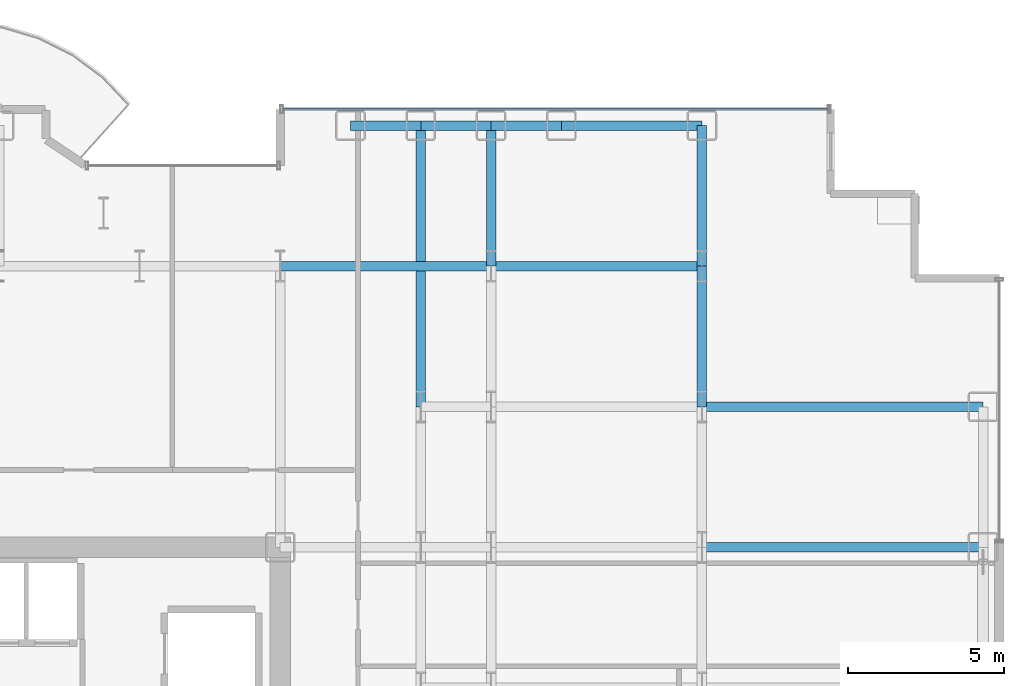
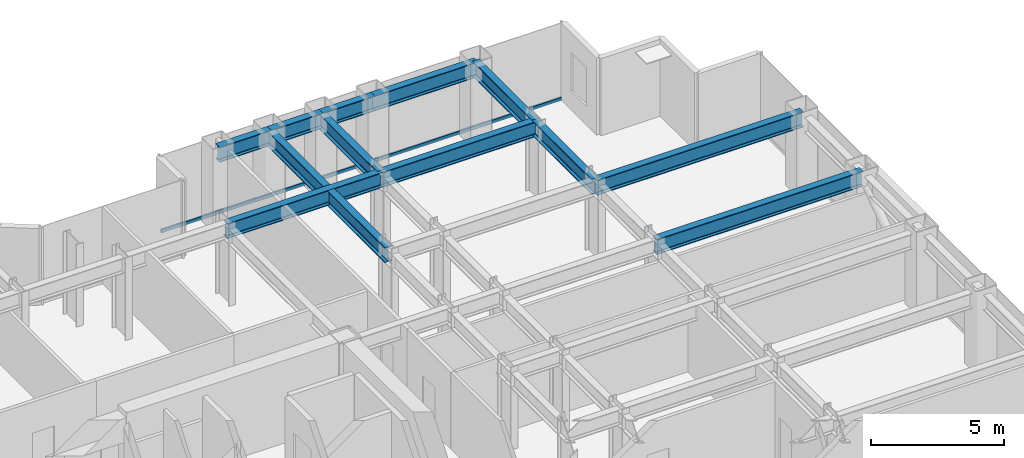
# One storey, part 16 of 29: 12 beams, 1 member, 1 element without a shape of its own.
"""IFC4 building model written with IfcOpenShell, lengths in metres."""

from ifc_helpers import new_model, si_unit, direction, frame, origin, origin_2d, place, context, subcontext, project, spatial, hollow_rectangle, i_section, extrude, source, transform, mapped, material, layer, layer_set, material_profile, profile_set, type_object, element, aggregate, save


model = new_model("IFC4")

# Units and contexts
model_context = context("Model", 3, precision=1e-05, world=origin(), true_north=direction((0.0, 1.0)))
body_context = subcontext(model_context, "Body", "Model", "MODEL_VIEW")
ifc_project = project(units=[si_unit("LENGTHUNIT", "METRE"), si_unit("AREAUNIT", "SQUARE_METRE"), si_unit("VOLUMEUNIT", "CUBIC_METRE"), si_unit("PLANEANGLEUNIT", "RADIAN"), si_unit("MASSUNIT", "GRAM", prefix="KILO")], contexts=[model_context])

# Site, building, storey
site_placement = place(None, origin())
site = spatial("IfcSite", under=ifc_project, at=site_placement, CompositionType="ELEMENT")
building_placement = place(site_placement, origin())
building = spatial("IfcBuilding", under=site, at=building_placement, Name="Nefas-Gora Pilgrimage Tower", CompositionType="ELEMENT")
storey_placement = place(building_placement, frame((0.0, 0.0, 55.800048828125)))
storey = spatial("IfcBuildingStorey", under=building, at=storey_placement, Name="L12", CompositionType="ELEMENT", Elevation=55.800048828125)

# Beams
ifc_material_1 = material(Name="Steel S355", Category="steel")
ifc_material_profile_1 = material_profile(ifc_material_1, i_section(OverallWidth=0.300048828125, OverallDepth=0.699951171875, WebThickness=0.01708984375, FlangeThickness=0.031982421875, FilletRadius=0.027099609375, at=origin_2d()), Name="HEB 700")
ifc_profile_set_1 = profile_set([ifc_material_profile_1], Name="Steel S355")
beam_type_1 = type_object("IfcBeamType", Name="BM-SPN-HEB600", PredefinedType="SPANDREL", material=ifc_profile_set_1)
shared_shape_1 = source(origin(), body_context, "Body", "SweptSolid", [
    extrude(i_section(OverallWidth=0.300048828125, OverallDepth=0.699951171875, WebThickness=0.01708984375, FlangeThickness=0.031982421875, FilletRadius=0.027099609375, at=origin_2d()), origin(), (0.0, 0.0, 1.0), 4.5),
])
beam_placement = place(storey_placement, frame((20.25, 22.5, 3.199951171875), z_axis=(1.0, 0.0, 0.0), x_axis=(0.0, 1.0, 0.0)))
element("IfcBeam", 1, at=beam_placement, inside=storey, type_object=beam_type_1, Name="L12 SP-01 beam", PredefinedType="SPANDREL", context=body_context, shape_type="MappedRepresentation", body=[
    mapped(shared_shape_1, transform((0.0, 0.0, 0.0), x_axis=(1.0, 0.0, 0.0), y_axis=(0.0, 1.0, 0.0), z_axis=(0.0, 0.0, 1.0), scale=1.0)),
])
ifc_material_profile_2 = material_profile(ifc_material_1, i_section(OverallWidth=0.300048828125, OverallDepth=0.699951171875, WebThickness=0.01708984375, FlangeThickness=0.031982421875, FilletRadius=0.027099609375, at=origin_2d()), Name="HEB 700")
ifc_profile_set_2 = profile_set([ifc_material_profile_2], Name="Steel S355")
beam_type_2 = type_object("IfcBeamType", Name="BM-GIR-HEB700", PredefinedType="BEAM", material=ifc_profile_set_2)
shared_shape_2 = source(origin(), body_context, "Body", "SweptSolid", [
    extrude(i_section(OverallWidth=0.300048828125, OverallDepth=0.699951171875, WebThickness=0.01708984375, FlangeThickness=0.031982421875, FilletRadius=0.027099609375, at=origin_2d()), origin(), (0.0, 0.0, 1.0), 9.0),
])
for number, where, z_axis, x_axis, name in (
    (2, (15.75, 13.5, 3.199951171875), (0.0, 1.0, 0.0), (-1.0, 0.0, 0.0), "L12 G-02 beam"),
    (3, (24.75, 9.0, 3.199951171875), (1.0, 0.0, 0.0), (0.0, 1.0, 0.0), "L12 G-02 beam"),
    (4, (24.75, 13.5, 3.199951171875), (1.0, 0.0, 0.0), (0.0, 1.0, 0.0), "L12 G-02 beam"),
):
    element("IfcBeam", number, at=place(storey_placement, frame(where, z_axis=z_axis, x_axis=x_axis)), inside=storey, type_object=beam_type_2, Name=name, PredefinedType="BEAM", context=body_context, shape_type="MappedRepresentation", body=[
        mapped(shared_shape_2, transform((0.0, 0.0, 0.0), x_axis=(1.0, 0.0, 0.0), y_axis=(0.0, 1.0, 0.0), z_axis=(0.0, 0.0, 1.0), scale=1.0)),
    ])
shared_shape_3 = source(origin(), body_context, "Body", "SweptSolid", [
    extrude(i_section(OverallWidth=0.300048828125, OverallDepth=0.699951171875, WebThickness=0.01708984375, FlangeThickness=0.031982421875, FilletRadius=0.027099609375, at=origin_2d()), origin(), (0.0, 0.0, 1.0), 4.5),
])
for number, where, z_axis, x_axis, name in (
    (5, (18.0, 18.0, 3.199951171875), (0.0, 1.0, 0.0), (-1.0, 0.0, 0.0), "L12 G-02 beam"),
    (6, (24.75, 13.5, 3.199951171875), (0.0, 1.0, 0.0), (-1.0, 0.0, 0.0), "L12 G-02 beam"),
    (7, (24.75, 18.0, 3.199951171875), (0.0, 1.0, 0.0), (-1.0, 0.0, 0.0), "L12 G-02 beam"),
):
    element("IfcBeam", number, at=place(storey_placement, frame(where, z_axis=z_axis, x_axis=x_axis)), inside=storey, type_object=beam_type_2, Name=name, PredefinedType="BEAM", context=body_context, shape_type="MappedRepresentation", body=[
        mapped(shared_shape_3, transform((0.0, 0.0, 0.0), x_axis=(1.0, 0.0, 0.0), y_axis=(0.0, 1.0, 0.0), z_axis=(0.0, 0.0, 1.0), scale=1.0)),
    ])
shared_shape_4 = source(origin(), body_context, "Body", "SweptSolid", [
    extrude(i_section(OverallWidth=0.300048828125, OverallDepth=0.699951171875, WebThickness=0.01708984375, FlangeThickness=0.031982421875, FilletRadius=0.027099609375, at=origin_2d()), origin(), (0.0, 0.0, 1.0), 6.75),
])
for number, where, z_axis, x_axis, name in (
    (8, (11.25, 18.0, 3.199951171875), (1.0, 0.0, 0.0), (0.0, 1.0, 0.0), "L12 G-02 beam"),
    (9, (18.0, 18.0, 3.199951171875), (1.0, 0.0, 0.0), (0.0, 1.0, 0.0), "L12 G-02 beam"),
):
    element("IfcBeam", number, at=place(storey_placement, frame(where, z_axis=z_axis, x_axis=x_axis)), inside=storey, type_object=beam_type_2, Name=name, PredefinedType="BEAM", context=body_context, shape_type="MappedRepresentation", body=[
        mapped(shared_shape_4, transform((0.0, 0.0, 0.0), x_axis=(1.0, 0.0, 0.0), y_axis=(0.0, 1.0, 0.0), z_axis=(0.0, 0.0, 1.0), scale=1.0)),
    ])
shared_shape_5 = source(origin(), body_context, "Body", "SweptSolid", [
    extrude(i_section(OverallWidth=0.300048828125, OverallDepth=0.699951171875, WebThickness=0.01708984375, FlangeThickness=0.031982421875, FilletRadius=0.027099609375, at=origin_2d()), origin(), (0.0, 0.0, 1.0), 2.25),
])
for number, where, z_axis, x_axis, name in (
    (10, (13.5, 22.5, 3.199951171875), (1.0, 0.0, 0.0), (0.0, 1.0, 0.0), "L12 SP-01 beam"),
    (11, (15.75, 22.5, 3.199951171875), (1.0, 0.0, 0.0), (0.0, 1.0, 0.0), "L12 SP-01 beam"),
    (12, (18.0, 22.5, 3.199951171875), (1.0, 0.0, 0.0), (0.0, 1.0, 0.0), "L12 SP-01 beam"),
):
    element("IfcBeam", number, at=place(storey_placement, frame(where, z_axis=z_axis, x_axis=x_axis)), inside=storey, type_object=beam_type_1, Name=name, PredefinedType="SPANDREL", context=body_context, shape_type="MappedRepresentation", body=[
        mapped(shared_shape_5, transform((0.0, 0.0, 0.0), x_axis=(1.0, 0.0, 0.0), y_axis=(0.0, 1.0, 0.0), z_axis=(0.0, 0.0, 1.0), scale=1.0)),
    ])

# Curtain wall, member
ifc_material_2 = material(Name="Dark ceramic-fritted solar-control aluminium-glass curtain wall", Category="aluminium")
ifc_layer = layer(ifc_material_2, 0.219970703125)
ifc_layer_set = layer_set([ifc_layer], Name="Dark ceramic-fritted solar-control aluminium-glass curtain wall")
curtain_wall_type = type_object("IfcCurtainWallType", Name="CW-SYS-2", PredefinedType="NOTDEFINED", material=ifc_layer_set)
curtain_wall_placement = place(storey_placement, origin())
curtain_wall = element("IfcCurtainWall", 13, at=curtain_wall_placement, inside=storey, type_object=curtain_wall_type, Name="L12 Unitised Curtain Wall CW2", PredefinedType="NOTDEFINED")
ifc_material_3 = material(Name="Anodised architectural aluminium", Category="aluminium")
ifc_material_profile_3 = material_profile(ifc_material_3, hollow_rectangle(XDim=0.080078125, YDim=0.159912109375, WallThickness=0.00439453125, InnerFilletRadius=0.00439453125, OuterFilletRadius=0.009033203125, at=origin_2d()), Name="ALU TRANSOM 80x160")
ifc_profile_set_3 = profile_set([ifc_material_profile_3], Name="Anodised architectural aluminium")
member_type = type_object("IfcMemberType", Name="CWM-TRN-2", PredefinedType="USERDEFINED", material=ifc_profile_set_3)
shared_shape_6 = source(origin(), body_context, "Body", "SweptSolid", [
    extrude(hollow_rectangle(XDim=0.080078125, YDim=0.159912109375, WallThickness=0.00439453125, InnerFilletRadius=0.00439453125, OuterFilletRadius=0.009033203125, at=origin_2d()), origin(), (0.0, 0.0, 1.0), 17.43994140625),
])
member_placement = place(storey_placement, frame((28.780029296875, 23.02001953125, 0.050048828125), z_axis=(-1.0, 0.0, 0.0), x_axis=(0.0, -1.0, 0.0)))
member = element("IfcMember", 14, at=member_placement, type_object=member_type, Name="CW2 Spandrel Transom", ObjectType="TRANSOM", PredefinedType="USERDEFINED", context=body_context, shape_type="MappedRepresentation", body=[
    mapped(shared_shape_6, transform((0.0, 0.0, 0.0), x_axis=(1.0, 0.0, 0.0), y_axis=(0.0, 1.0, 0.0), z_axis=(0.0, 0.0, 1.0), scale=1.0)),
])
aggregate(curtain_wall, [member])

save(model, "model.ifc")
